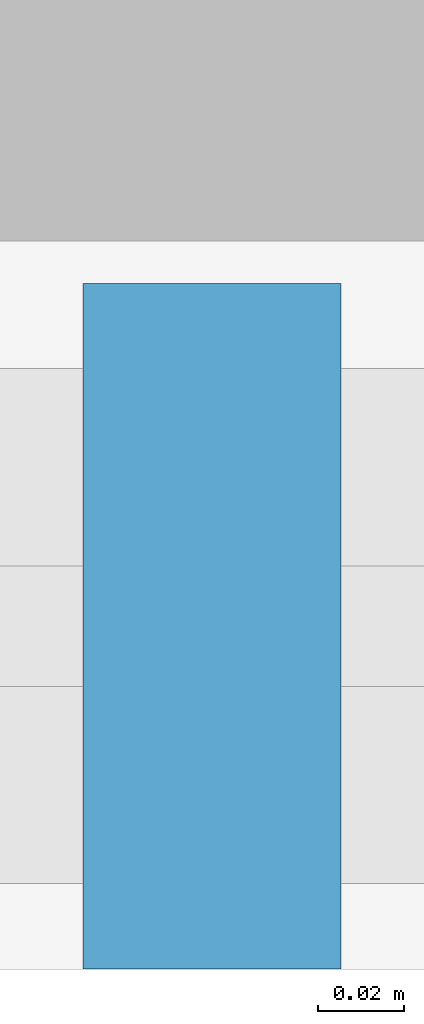
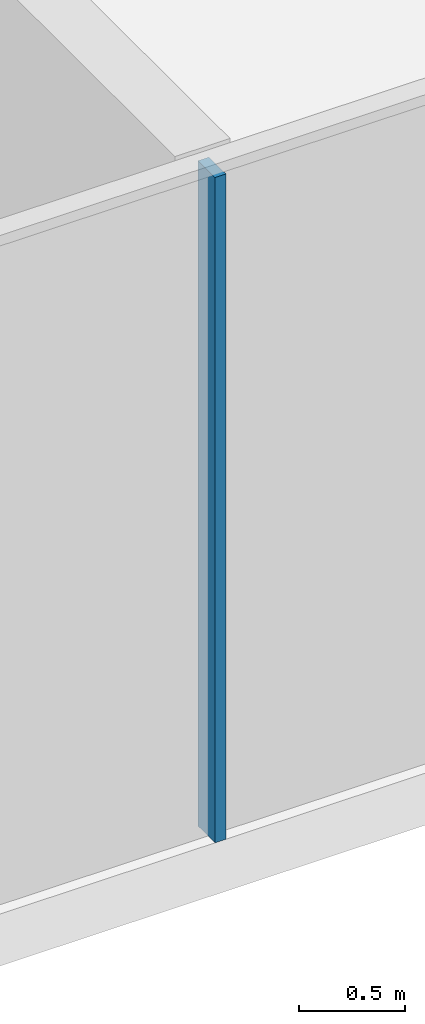
# One storey, part 4 of 14: 1 member, 1 element without a shape of its own.
"""IFC4 building model written with IfcOpenShell, lengths in metres."""

from ifc_helpers import new_model, si_unit, direction, frame, origin, origin_2d, place, context, subcontext, project, spatial, rectangle, extrude, material, material_profile, profile_set, type_object, element, aggregate, save


model = new_model("IFC4")

# Units and contexts
model_context = context("Model", 3, precision=1e-05, world=origin(), true_north=direction((0.0, 1.0)))
body_context = subcontext(model_context, "Body", "Model", "MODEL_VIEW")
ifc_project = project(units=[si_unit("LENGTHUNIT", "METRE"), si_unit("AREAUNIT", "SQUARE_METRE"), si_unit("VOLUMEUNIT", "CUBIC_METRE"), si_unit("PLANEANGLEUNIT", "RADIAN"), si_unit("MASSUNIT", "GRAM", prefix="KILO")], contexts=[model_context])

# Site, building, storey
site_placement = place(None, origin())
site = spatial("IfcSite", under=ifc_project, at=site_placement, CompositionType="ELEMENT")
building_placement = place(site_placement, origin())
building = spatial("IfcBuilding", under=site, at=building_placement, Name="Ogive Portal Towers", CompositionType="ELEMENT")
storey_placement = place(building_placement, frame((0.0, 0.0, 277.10009765625)))
storey = spatial("IfcBuildingStorey", under=building, at=storey_placement, Name="L67", CompositionType="ELEMENT", Elevation=277.10009765625)

# Curtain wall, member
ifc_material_1 = material(Name="Glass, clear low-iron insulated glazing", Category="glass")
curtain_wall_type = type_object("IfcCurtainWallType", Name="CW CROWN GLAZING", PredefinedType="NOTDEFINED", material=ifc_material_1)
curtain_wall_placement = place(storey_placement, origin())
curtain_wall = element("IfcCurtainWall", 1, at=curtain_wall_placement, inside=storey, type_object=curtain_wall_type, Name="A:L67:c06:cw", PredefinedType="NOTDEFINED")
ifc_material_2 = material(Name="Aluminium 6063 anodised", Category="aluminium")
ifc_material_profile = material_profile(ifc_material_2, rectangle(XDim=0.159912109375, YDim=0.06005859375, at=origin_2d()), Name="AL 60x160")
ifc_profile_set = profile_set([ifc_material_profile], Name="Aluminium 6063 anodised")
member_type = type_object("IfcMemberType", Name="CW MULLION 60x160", PredefinedType="MULLION", material=ifc_profile_set)
member_placement = place(storey_placement, frame((63.0, 20.080078125, 0.0), z_axis=(0.0, 0.0, 1.0), x_axis=(0.0, 1.0, 0.0)))
member = element("IfcMember", 2, at=member_placement, type_object=member_type, Name="mullion", PredefinedType="MULLION", context=body_context, shape_type="SweptSolid", body=[
    extrude(rectangle(XDim=0.159912109375, YDim=0.06005859375, at=origin_2d()), origin(), (0.0, 0.0, 1.0), 3.83984375),
])
aggregate(curtain_wall, [member])

save(model, "model.ifc")
